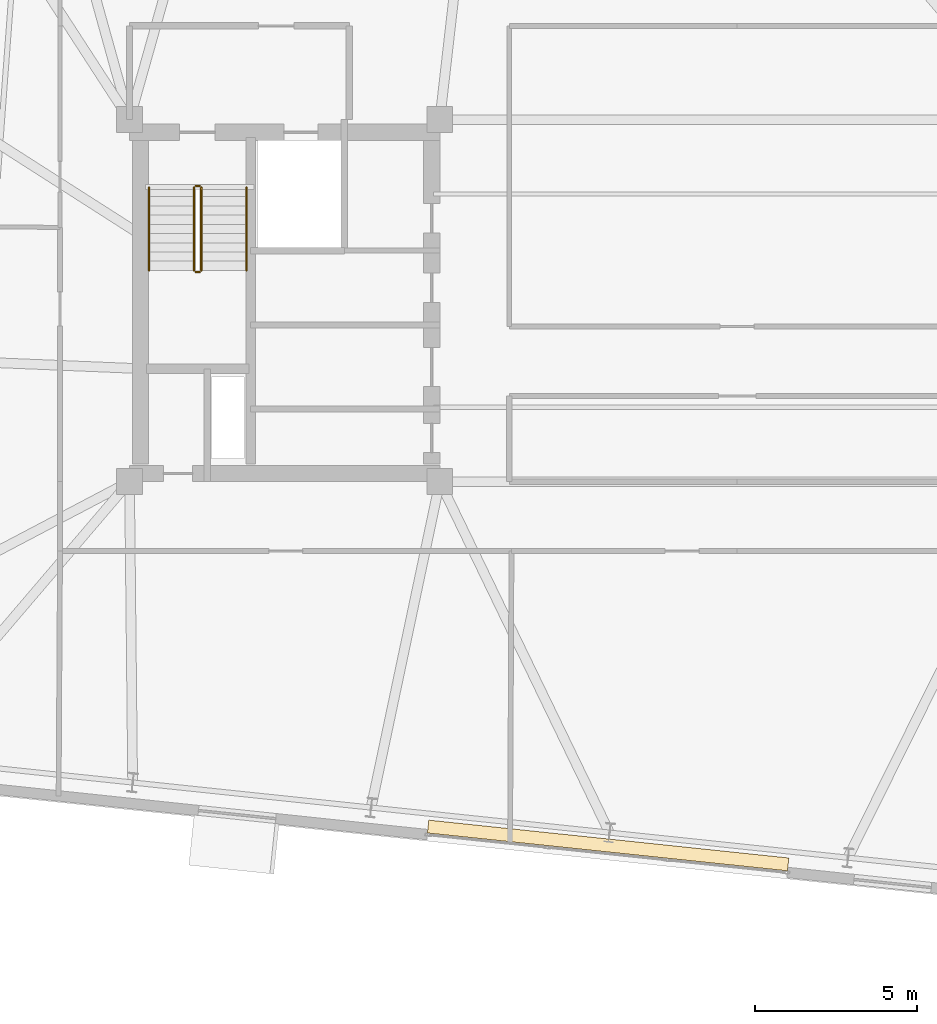
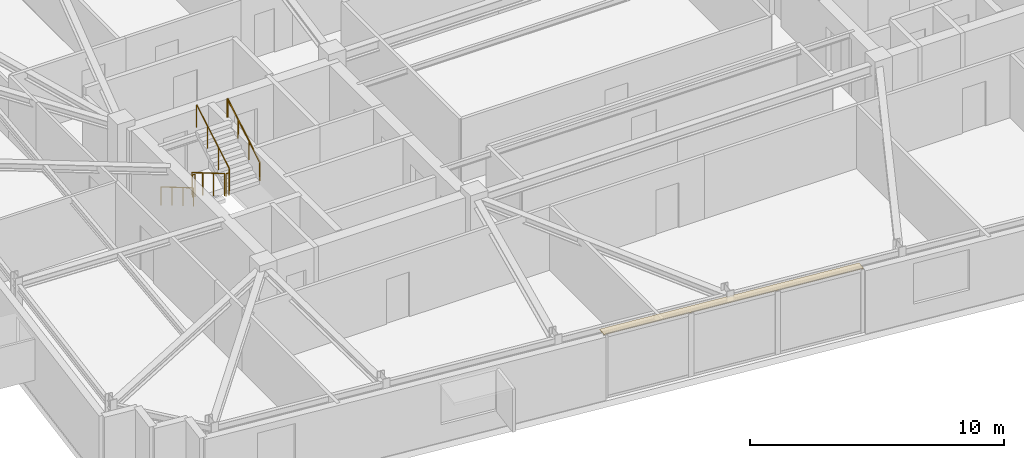
# One storey, part 11 of 13: 6 railings, 1 covering.
"""IFC4 building model written with IfcOpenShell, lengths in metres."""

from ifc_helpers import new_model, si_unit, direction, frame, origin, origin_2d, place, context, subcontext, project, spatial, polyline, circle, outline, extrude, material, layer, layer_set, type_object, element, save


model = new_model("IFC4")

# Units and contexts
model_context = context("Model", 3, precision=1e-05, world=origin(), true_north=direction((0.0, 1.0)))
body_context = subcontext(model_context, "Body", "Model", "MODEL_VIEW")
ifc_project = project(units=[si_unit("LENGTHUNIT", "METRE"), si_unit("AREAUNIT", "SQUARE_METRE"), si_unit("VOLUMEUNIT", "CUBIC_METRE"), si_unit("PLANEANGLEUNIT", "RADIAN"), si_unit("MASSUNIT", "GRAM", prefix="KILO")], contexts=[model_context])

# Site, building, storey
site_placement = place(None, origin())
site = spatial("IfcSite", under=ifc_project, at=site_placement, CompositionType="ELEMENT")
building_placement = place(site_placement, origin())
building = spatial("IfcBuilding", under=site, at=building_placement, Name="Qobustan Lattice House", CompositionType="ELEMENT")
storey_placement = place(building_placement, frame((0.0, 0.0, 199.75)))
storey = spatial("IfcBuildingStorey", under=building, at=storey_placement, Name="L56", CompositionType="ELEMENT", Elevation=199.75)

# Covering
ifc_material_1 = material(Name="Persian walnut timber lining", Category="wood")
ifc_layer = layer(ifc_material_1, 0.0380859375)
ifc_layer_set = layer_set([ifc_layer], Name="Persian walnut timber lining")
covering_type = type_object("IfcCoveringType", Name="COV-WALNUT-IWAN", PredefinedType="CLADDING", material=ifc_layer_set)
covering_placement = place(storey_placement, frame((0.0, 0.0, 3.001953125)))
element("IfcCovering", 1, at=covering_placement, inside=storey, type_object=covering_type, Name="L56 IWAN-4 Persian walnut soffit cladding", PredefinedType="CLADDING", context=body_context, shape_type="SweptSolid", body=[
    extrude(outline(polyline([(1.5556640625, -17.640380859375), (-9.5830078125, -16.469482421875), (-9.541015625, -16.07177734375), (1.597412109375, -17.24267578125), (1.5556640625, -17.640380859375)])), origin(), (0.0, 0.0, 1.0), 0.0380859375),
])

# Railings
ifc_material_2 = material(Name="Brushed stainless steel handrail", Category="steel")
railing_type_1 = type_object("IfcRailingType", Name="RAL-HR-920", PredefinedType="HANDRAIL", material=ifc_material_2)
railing_1_placement = place(storey_placement, frame((-18.199951171875, 3.5, 0.16748046875)))
element("IfcRailing", 2, at=railing_1_placement, inside=storey, type_object=railing_type_1, Name="L56 ST-W1 stair handrail 1", PredefinedType="HANDRAIL", context=body_context, shape_type="SweptSolid", body=[
    extrude(circle(Radius=0.02392578125, at=origin_2d()), frame((0.0, 0.0, 0.8759765625), z_axis=(0.0, -0.862113467892, 0.50671527358), x_axis=(1.0, 0.0, 0.0)), (0.0, 0.0, 1.0), 2.97509765625),
    extrude(circle(Radius=0.02099609375, at=origin_2d()), origin(), (0.0, 0.0, 1.0), 0.851806640625),
    extrude(circle(Radius=0.02099609375, at=origin_2d()), frame((0.0, -0.85498046875, 0.50244140625)), (0.0, 0.0, 1.0), 0.851806640625),
    extrude(circle(Radius=0.02099609375, at=origin_2d()), frame((0.0, -1.7099609375, 1.005126953125)), (0.0, 0.0, 1.0), 0.851806640625),
    extrude(circle(Radius=0.02099609375, at=origin_2d()), frame((0.0, -2.56494140625, 1.507568359375)), (0.0, 0.0, 1.0), 0.851806640625),
])
railing_2_placement = place(storey_placement, frame((-15.179931640625, 0.93505859375, 1.842529296875)))
element("IfcRailing", 3, at=railing_2_placement, inside=storey, type_object=railing_type_1, Name="L56 ST-W1 stair handrail 2", PredefinedType="HANDRAIL", context=body_context, shape_type="SweptSolid", body=[
    extrude(circle(Radius=0.02392578125, at=origin_2d()), frame((0.0, 0.0, 0.8759765625), z_axis=(0.0, 0.862113467892, 0.50671527358), x_axis=(-1.0, 0.0, 0.0)), (0.0, 0.0, 1.0), 2.97509765625),
    extrude(circle(Radius=0.02099609375, at=origin_2d()), origin(), (0.0, 0.0, 1.0), 0.851806640625),
    extrude(circle(Radius=0.02099609375, at=origin_2d()), frame((0.0, 0.85498046875, 0.50244140625)), (0.0, 0.0, 1.0), 0.851806640625),
    extrude(circle(Radius=0.02099609375, at=origin_2d()), frame((0.0, 1.7099609375, 1.005126953125)), (0.0, 0.0, 1.0), 0.851806640625),
    extrude(circle(Radius=0.02099609375, at=origin_2d()), frame((0.0, 2.56494140625, 1.507568359375)), (0.0, 0.0, 1.0), 0.851806640625),
])
ifc_material_3 = material(Name="Painted galvanized steel guardrail", Category="steel")
railing_type_2 = type_object("IfcRailingType", Name="RAL-STG-1150", PredefinedType="GUARDRAIL", material=ifc_material_3)
railing_3_placement = place(storey_placement, frame((-16.800048828125, 3.5, 0.16748046875)))
element("IfcRailing", 4, at=railing_3_placement, inside=storey, type_object=railing_type_2, Name="L56 ST-W1 stair guard 1", PredefinedType="GUARDRAIL", context=body_context, shape_type="SweptSolid", body=[
    extrude(circle(Radius=0.02392578125, at=origin_2d()), frame((0.0, 0.0, 1.076171875), z_axis=(0.0, -0.862113467892, 0.50671527358), x_axis=(1.0, 0.0, 0.0)), (0.0, 0.0, 1.0), 2.97509765625),
    extrude(circle(Radius=0.02099609375, at=origin_2d()), origin(), (0.0, 0.0, 1.0), 1.052001953125),
    extrude(circle(Radius=0.02099609375, at=origin_2d()), frame((0.0, -0.85498046875, 0.50244140625)), (0.0, 0.0, 1.0), 1.052001953125),
    extrude(circle(Radius=0.02099609375, at=origin_2d()), frame((0.0, -1.7099609375, 1.005126953125)), (0.0, 0.0, 1.0), 1.052001953125),
    extrude(circle(Radius=0.02099609375, at=origin_2d()), frame((0.0, -2.56494140625, 1.507568359375)), (0.0, 0.0, 1.0), 1.052001953125),
])
railing_4_placement = place(storey_placement, frame((-16.75, 0.885009765625, 1.675048828125)))
element("IfcRailing", 5, at=railing_4_placement, inside=storey, type_object=railing_type_2, Name="L56 ST-W1 stair guard 2", PredefinedType="GUARDRAIL", context=body_context, shape_type="SweptSolid", body=[
    extrude(circle(Radius=0.02392578125, at=origin_2d()), frame((0.0, 0.0, 1.076171875), z_axis=(1.0, 0.0, 0.0), x_axis=(0.0, 1.0, 0.0)), (0.0, 0.0, 1.0), 0.1201171875),
    extrude(circle(Radius=0.02099609375, at=origin_2d()), origin(), (0.0, 0.0, 1.0), 1.052001953125),
    extrude(circle(Radius=0.02099609375, at=origin_2d()), frame((0.1201171875, 0.0, 0.0)), (0.0, 0.0, 1.0), 1.052001953125),
])
railing_5_placement = place(storey_placement, frame((-16.580078125, 0.93505859375, 1.842529296875)))
element("IfcRailing", 6, at=railing_5_placement, inside=storey, type_object=railing_type_2, Name="L56 ST-W1 stair guard 3", PredefinedType="GUARDRAIL", context=body_context, shape_type="SweptSolid", body=[
    extrude(circle(Radius=0.02392578125, at=origin_2d()), frame((0.0, 0.0, 1.076171875), z_axis=(0.0, 0.862113467892, 0.50671527358), x_axis=(-1.0, 0.0, 0.0)), (0.0, 0.0, 1.0), 2.97509765625),
    extrude(circle(Radius=0.02099609375, at=origin_2d()), origin(), (0.0, 0.0, 1.0), 1.052001953125),
    extrude(circle(Radius=0.02099609375, at=origin_2d()), frame((0.0, 0.85498046875, 0.50244140625)), (0.0, 0.0, 1.0), 1.052001953125),
    extrude(circle(Radius=0.02099609375, at=origin_2d()), frame((0.0, 1.7099609375, 1.005126953125)), (0.0, 0.0, 1.0), 1.052001953125),
    extrude(circle(Radius=0.02099609375, at=origin_2d()), frame((0.0, 2.56494140625, 1.507568359375)), (0.0, 0.0, 1.0), 1.052001953125),
])
railing_6_placement = place(storey_placement, frame((-16.75, 3.550048828125, 0.0)))
element("IfcRailing", 7, at=railing_6_placement, inside=storey, type_object=railing_type_2, Name="L56 ST-W1 stair guard 4", PredefinedType="GUARDRAIL", context=body_context, shape_type="SweptSolid", body=[
    extrude(circle(Radius=0.02392578125, at=origin_2d()), frame((0.0, 0.0, 1.076171875), z_axis=(1.0, 0.0, 0.0), x_axis=(0.0, 1.0, 0.0)), (0.0, 0.0, 1.0), 0.1201171875),
    extrude(circle(Radius=0.02099609375, at=origin_2d()), origin(), (0.0, 0.0, 1.0), 1.052001953125),
    extrude(circle(Radius=0.02099609375, at=origin_2d()), frame((0.1201171875, 0.0, 0.0)), (0.0, 0.0, 1.0), 1.052001953125),
])

save(model, "model.ifc")
